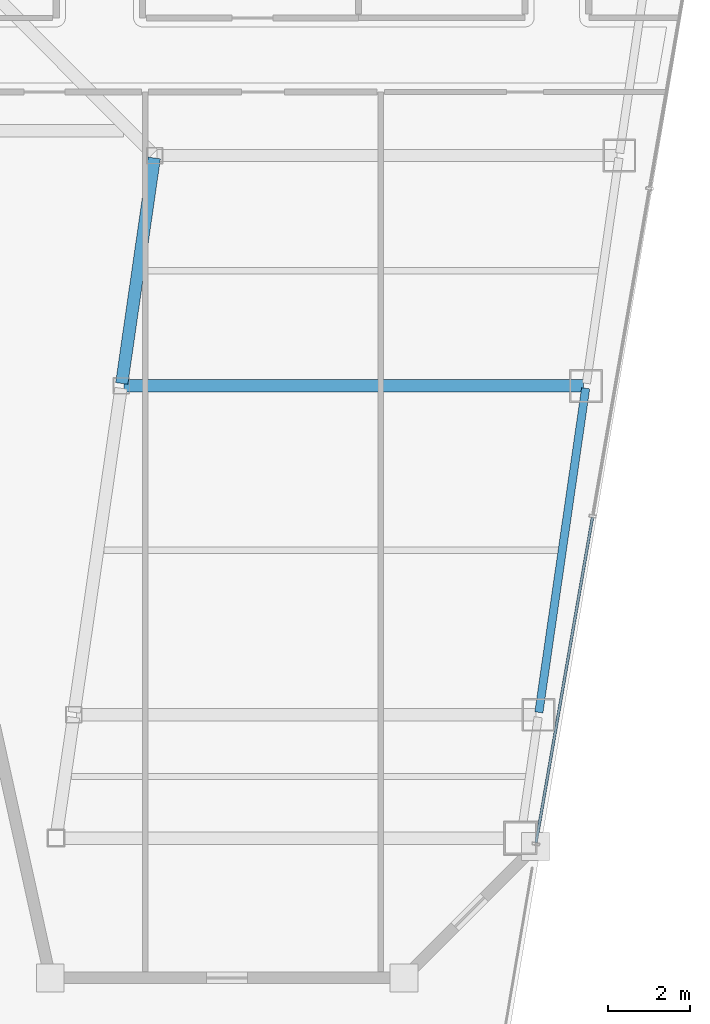
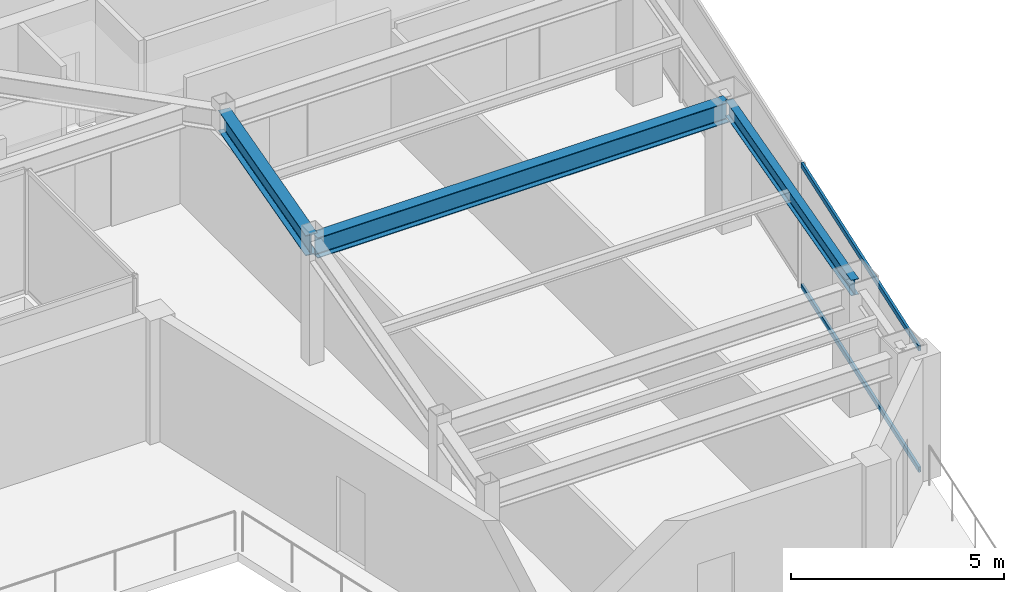
# One storey, part 12 of 31: 3 beams, 2 members, 1 element without a shape of its own.
"""IFC4 building model written with IfcOpenShell, lengths in metres."""

from ifc_helpers import new_model, si_unit, direction, frame, origin, origin_2d, place, context, subcontext, project, spatial, hollow_rectangle, i_section, extrude, material, material_profile, profile_set, type_object, element, aggregate, save


model = new_model("IFC4")

# Units and contexts
model_context = context("Model", 3, precision=1e-05, world=origin(), true_north=direction((0.0, 1.0)))
body_context = subcontext(model_context, "Body", "Model", "MODEL_VIEW")
ifc_project = project(units=[si_unit("LENGTHUNIT", "METRE"), si_unit("AREAUNIT", "SQUARE_METRE"), si_unit("VOLUMEUNIT", "CUBIC_METRE"), si_unit("PLANEANGLEUNIT", "RADIAN"), si_unit("MASSUNIT", "GRAM", prefix="KILO")], contexts=[model_context])

# Site, building, storey
site_placement = place(None, origin())
site = spatial("IfcSite", under=ifc_project, at=site_placement, CompositionType="ELEMENT")
building_placement = place(site_placement, origin())
building = spatial("IfcBuilding", under=site, at=building_placement, Name="Saevonmaru Cultural Tower", CompositionType="ELEMENT")
storey_placement = place(building_placement, frame((0.0, 0.0, 230.60009765625)))
storey = spatial("IfcBuildingStorey", under=building, at=storey_placement, Name="L53", CompositionType="ELEMENT", Elevation=230.60009765625)

# Beams
ifc_material_1 = material(Name="Steel SM355", Category="steel")
ifc_material_profile_1 = material_profile(ifc_material_1, i_section(OverallWidth=0.300048828125, OverallDepth=0.587890625, WebThickness=0.011962890625, FlangeThickness=0.02001953125, FilletRadius=0.02392578125, at=origin_2d()), Name="H-588x300x12x20")
ifc_profile_set_1 = profile_set([ifc_material_profile_1], Name="Steel SM355")
beam_type_1 = type_object("IfcBeamType", Name="BM-G-H588", PredefinedType="BEAM", material=ifc_profile_set_1)
beam_1_placement = place(storey_placement, frame((40.3916015625, 32.059326171875, 3.255859375), z_axis=(0.142964121327, 0.989727871697, 0.0), x_axis=(-0.989727871697, 0.142964121327, 0.0)))
element("IfcBeam", 1, at=beam_1_placement, inside=storey, type_object=beam_type_1, Name="L53 East Atrium Girder 3", PredefinedType="BEAM", context=body_context, shape_type="SweptSolid", body=[
    extrude(i_section(OverallWidth=0.300048828125, OverallDepth=0.587890625, WebThickness=0.011962890625, FlangeThickness=0.02001953125, FilletRadius=0.02392578125, at=origin_2d()), origin(), (0.0, 0.0, 1.0), 5.5380859375),
])
beam_2_placement = place(storey_placement, frame((40.443115234375, 32.0, 3.255859375), z_axis=(1.0, 0.0, 0.0), x_axis=(0.0, 1.0, 0.0)))
element("IfcBeam", 2, at=beam_2_placement, inside=storey, type_object=beam_type_1, Name="L53 East Wing Transverse Girder 3", PredefinedType="BEAM", context=body_context, shape_type="SweptSolid", body=[
    extrude(i_section(OverallWidth=0.300048828125, OverallDepth=0.587890625, WebThickness=0.011962890625, FlangeThickness=0.02001953125, FilletRadius=0.02392578125, at=origin_2d()), origin(), (0.0, 0.0, 1.0), 11.179931640625),
])
ifc_material_profile_2 = material_profile(ifc_material_1, i_section(OverallWidth=0.199951171875, OverallDepth=0.449951171875, WebThickness=0.009033203125, FlangeThickness=0.013916015625, FilletRadius=0.01806640625, at=origin_2d()), Name="H-450x200x9x14")
ifc_profile_set_2 = profile_set([ifc_material_profile_2], Name="Steel SM355")
beam_type_2 = type_object("IfcBeamType", Name="BM-SP-H450", PredefinedType="SPANDREL", material=ifc_profile_set_2)
beam_3_placement = place(storey_placement, frame((50.53662109375, 24.059326171875, 3.324951171875), z_axis=(0.142871999001, 0.989741174197, 0.0), x_axis=(-0.989741174197, 0.142871999001, 0.0)))
element("IfcBeam", 3, at=beam_3_placement, inside=storey, type_object=beam_type_2, Name="L53 East Splayed Spandrel 2", PredefinedType="SPANDREL", context=body_context, shape_type="SweptSolid", body=[
    extrude(i_section(OverallWidth=0.199951171875, OverallDepth=0.449951171875, WebThickness=0.009033203125, FlangeThickness=0.013916015625, FilletRadius=0.01806640625, at=origin_2d()), origin(), (0.0, 0.0, 1.0), 7.963134765625),
])

# Curtain wall, members
ifc_material_2 = material(Name="Satin Bronze Anodised Aluminium", Category="aluminium")
curtain_wall_type = type_object("IfcCurtainWallType", Name="CW-SKY-GLZ", PredefinedType="NOTDEFINED", material=ifc_material_2)
curtain_wall_placement = place(storey_placement, origin())
curtain_wall = element("IfcCurtainWall", 4, at=curtain_wall_placement, inside=storey, type_object=curtain_wall_type, Name="L53 Unitised Curtain Wall E8", PredefinedType="NOTDEFINED")
ifc_material_profile_3 = material_profile(ifc_material_2, hollow_rectangle(XDim=0.06494140625, YDim=0.14990234375, WallThickness=0.00390625, at=origin_2d()), Name="ALU-TRAN-150x65x4")
ifc_profile_set_3 = profile_set([ifc_material_profile_3], Name="Satin Bronze Anodised Aluminium")
member_type = type_object("IfcMemberType", Name="TR-CW-150x65", PredefinedType="USERDEFINED", material=ifc_profile_set_3)
member_1_placement = place(storey_placement, frame((50.468994140625, 20.89111328125, 0.032470703125), z_axis=(0.170804445888, 0.985304948361, 0.0), x_axis=(-0.985304948361, 0.170804445888, 0.0)))
member_1 = element("IfcMember", 5, at=member_1_placement, type_object=member_type, Name="CW-TW-L53-E8 transom 1.1", ObjectType="TRANSOM", PredefinedType="USERDEFINED", context=body_context, shape_type="SweptSolid", body=[
    extrude(hollow_rectangle(XDim=0.06494140625, YDim=0.14990234375, WallThickness=0.00390625, at=origin_2d()), origin(), (0.0, 0.0, 1.0), 8.0244140625),
])
member_2_placement = place(storey_placement, frame((50.468994140625, 20.89111328125, 3.517333984375), z_axis=(0.170804445888, 0.985304948361, 0.0), x_axis=(-0.985304948361, 0.170804445888, 0.0)))
member_2 = element("IfcMember", 6, at=member_2_placement, type_object=member_type, Name="CW-TW-L53-E8 transom 1.2", ObjectType="TRANSOM", PredefinedType="USERDEFINED", context=body_context, shape_type="SweptSolid", body=[
    extrude(hollow_rectangle(XDim=0.06494140625, YDim=0.14990234375, WallThickness=0.00390625, at=origin_2d()), origin(), (0.0, 0.0, 1.0), 8.0244140625),
])
aggregate(curtain_wall, [member_1, member_2])

save(model, "model.ifc")
